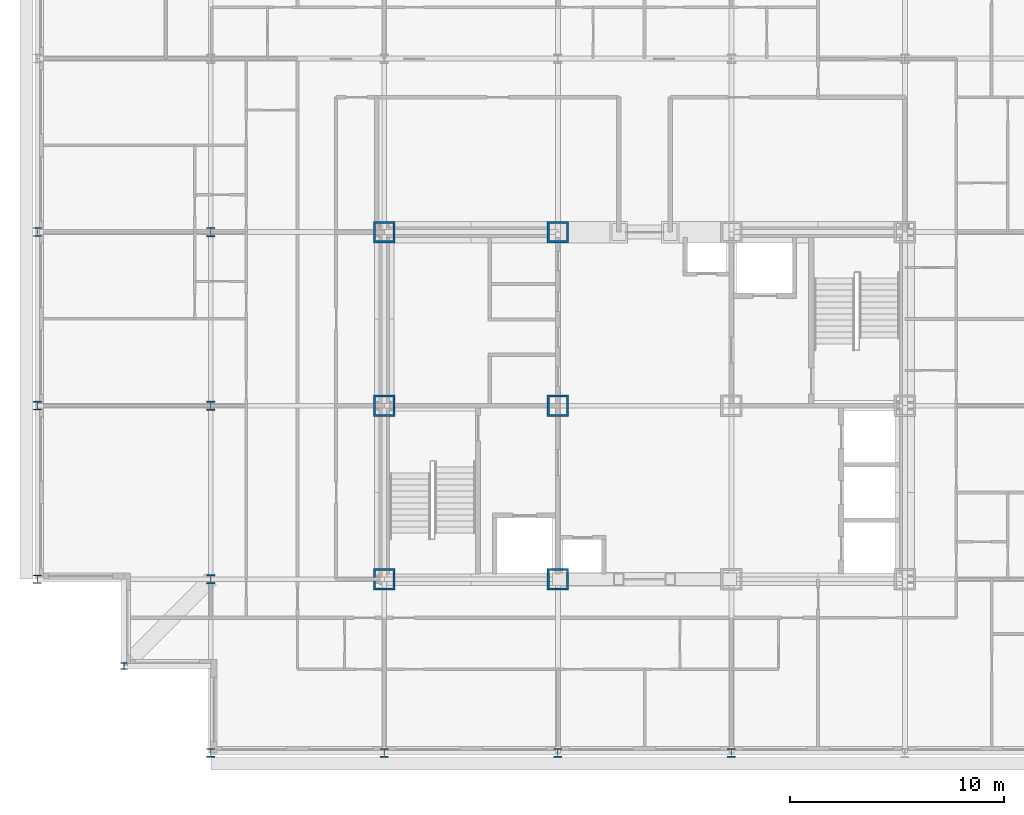
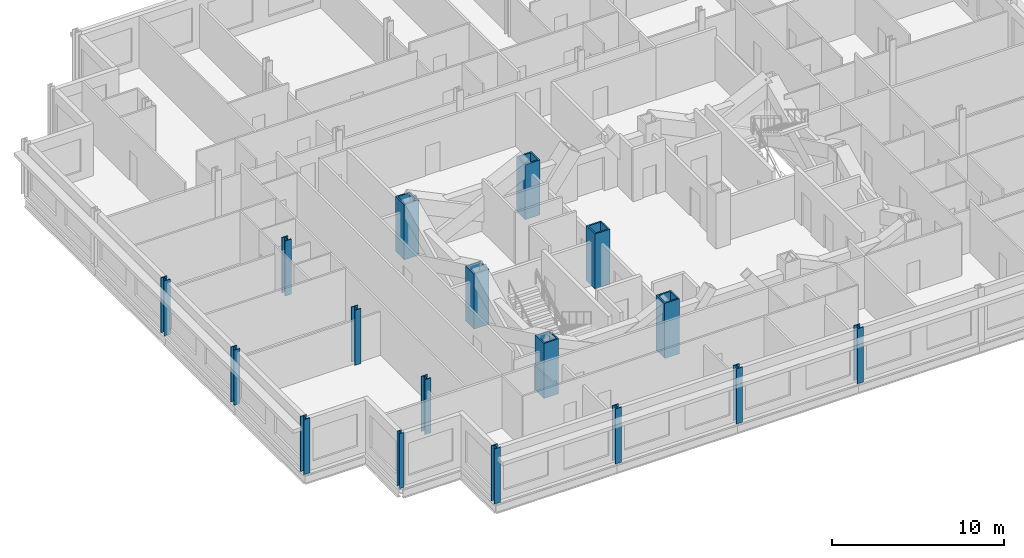
# One storey, part 1 of 15: 17 columns.
"""IFC4 building model written with IfcOpenShell, lengths in metres."""

from ifc_helpers import new_model, si_unit, direction, frame, origin, origin_2d, place, context, subcontext, project, spatial, hollow_rectangle, i_section, extrude, material, material_profile, profile_set, type_object, element, save


model = new_model("IFC4")

# Units and contexts
model_context = context("Model", 3, precision=1e-05, world=origin(), true_north=direction((0.0, 1.0)))
body_context = subcontext(model_context, "Body", "Model", "MODEL_VIEW")
ifc_project = project(units=[si_unit("LENGTHUNIT", "METRE"), si_unit("AREAUNIT", "SQUARE_METRE"), si_unit("VOLUMEUNIT", "CUBIC_METRE"), si_unit("PLANEANGLEUNIT", "RADIAN"), si_unit("MASSUNIT", "GRAM", prefix="KILO")], contexts=[model_context])

# Site, building, storey
site_placement = place(None, origin())
site = spatial("IfcSite", under=ifc_project, at=site_placement, CompositionType="ELEMENT")
building_placement = place(site_placement, origin())
building = spatial("IfcBuilding", under=site, at=building_placement, Name="Kopane Lantern Tower", CompositionType="ELEMENT")
storey_placement = place(building_placement, frame((0.0, 0.0, 281.39990234375)))
storey = spatial("IfcBuildingStorey", under=building, at=storey_placement, Name="L72", CompositionType="ELEMENT", Elevation=281.39990234375)

# Columns
ifc_material_1 = material(Name="Steel S355JR", Category="steel")
ifc_material_profile_1 = material_profile(ifc_material_1, hollow_rectangle(XDim=1.0, YDim=1.0, WallThickness=0.10009765625, at=origin_2d()), Name="BOX 1000x1000x100")
ifc_profile_set_1 = profile_set([ifc_material_profile_1], Name="Steel S355JR")
column_type_1 = type_object("IfcColumnType", Name="COLUMN BOX 1000x1000x100", PredefinedType="COLUMN", material=ifc_profile_set_1)
for number, where, z_axis, x_axis, name in (
    (1, (16.199951171875, 24.300048828125, 0.0), (0.0, 0.0, 1.0), (1.0, 0.0, 0.0), "Column 4/E L72"),
    (2, (16.199951171875, 32.39990234375, 0.0), (0.0, 0.0, 1.0), (1.0, 0.0, 0.0), "Column 4/F L72"),
    (3, (16.199951171875, 40.5, 0.0), (0.0, 0.0, 1.0), (1.0, 0.0, 0.0), "Column 4/G L72"),
    (4, (24.300048828125, 24.300048828125, 0.0), (0.0, 0.0, 1.0), (1.0, 0.0, 0.0), "Column 5/E L72"),
    (5, (24.300048828125, 32.39990234375, 0.0), (0.0, 0.0, 1.0), (1.0, 0.0, 0.0), "Column 5/F L72"),
    (6, (24.300048828125, 40.5, 0.0), (0.0, 0.0, 1.0), (1.0, 0.0, 0.0), "Column 5/G L72"),
):
    element("IfcColumn", number, at=place(storey_placement, frame(where, z_axis=z_axis, x_axis=x_axis)), inside=storey, type_object=column_type_1, Name=name, PredefinedType="COLUMN", context=body_context, shape_type="SweptSolid", body=[
        extrude(hollow_rectangle(XDim=1.0, YDim=1.0, WallThickness=0.10009765625, at=origin_2d()), origin(), (0.0, 0.0, 1.0), 3.900146484375),
    ])
ifc_material_2 = material(Name="Steel S355JR", Category="steel")
ifc_material_profile_2 = material_profile(ifc_material_2, i_section(OverallWidth=0.307373046875, OverallDepth=0.314453125, WebThickness=0.011962890625, FlangeThickness=0.018798828125, FilletRadius=0.01513671875, at=origin_2d()), Name="UC 305x305x118")
ifc_profile_set_2 = profile_set([ifc_material_profile_2], Name="Steel S355JR")
column_type_2 = type_object("IfcColumnType", Name="COLUMN UC 305x305x118", PredefinedType="COLUMN", material=ifc_profile_set_2)
column_placement = place(storey_placement, frame((4.050048828125, 20.25, 0.0), z_axis=(0.0, 0.0, 1.0), x_axis=(1.0, 0.0, 0.0)))
element("IfcColumn", 7, at=column_placement, inside=storey, type_object=column_type_2, Name="Column 4.05/20.25 L72", PredefinedType="COLUMN", context=body_context, shape_type="SweptSolid", body=[
    extrude(i_section(OverallWidth=0.307373046875, OverallDepth=0.314453125, WebThickness=0.011962890625, FlangeThickness=0.018798828125, FilletRadius=0.01513671875, at=origin_2d()), origin(), (0.0, 0.0, 1.0), 3.900146484375),
])
ifc_material_3 = material(Name="Steel S355JR", Category="steel")
ifc_material_profile_3 = material_profile(ifc_material_3, i_section(OverallWidth=0.406982421875, OverallDepth=0.4189453125, WebThickness=0.030517578125, FlangeThickness=0.04931640625, FilletRadius=0.01513671875, at=origin_2d()), Name="UC 356x406x393")
ifc_profile_set_3 = profile_set([ifc_material_profile_3], Name="Steel S355JR")
column_type_3 = type_object("IfcColumnType", Name="COLUMN UC 356x406x393", PredefinedType="COLUMN", material=ifc_profile_set_3)
for number, where, z_axis, x_axis, name in (
    (8, (0.0, 24.300048828125, 0.0), (0.0, 0.0, 1.0), (1.0, 0.0, 0.0), "Column 2/E L72"),
    (9, (0.0, 32.39990234375, 0.0), (0.0, 0.0, 1.0), (1.0, 0.0, 0.0), "Column 2/F L72"),
    (10, (0.0, 40.5, 0.0), (0.0, 0.0, 1.0), (1.0, 0.0, 0.0), "Column 2/G L72"),
    (11, (8.10009765625, 16.199951171875, 0.0), (0.0, 0.0, 1.0), (1.0, 0.0, 0.0), "Column 3/D L72"),
    (12, (16.199951171875, 16.199951171875, 0.0), (0.0, 0.0, 1.0), (1.0, 0.0, 0.0), "Column 4/D L72"),
    (13, (24.300048828125, 16.199951171875, 0.0), (0.0, 0.0, 1.0), (1.0, 0.0, 0.0), "Column 5/D L72"),
    (14, (32.39990234375, 16.199951171875, 0.0), (0.0, 0.0, 1.0), (1.0, 0.0, 0.0), "Column 6/D L72"),
):
    element("IfcColumn", number, at=place(storey_placement, frame(where, z_axis=z_axis, x_axis=x_axis)), inside=storey, type_object=column_type_3, Name=name, PredefinedType="COLUMN", context=body_context, shape_type="SweptSolid", body=[
        extrude(i_section(OverallWidth=0.406982421875, OverallDepth=0.4189453125, WebThickness=0.030517578125, FlangeThickness=0.04931640625, FilletRadius=0.01513671875, at=origin_2d()), origin(), (0.0, 0.0, 1.0), 3.900146484375),
    ])
ifc_material_4 = material(Name="Steel S355JR", Category="steel")
ifc_material_profile_4 = material_profile(ifc_material_4, i_section(OverallWidth=0.412109375, OverallDepth=0.4365234375, WebThickness=0.035888671875, FlangeThickness=0.05810546875, FilletRadius=0.01513671875, at=origin_2d()), Name="UC 356x406x467")
ifc_profile_set_4 = profile_set([ifc_material_profile_4], Name="Steel S355JR")
column_type_4 = type_object("IfcColumnType", Name="COLUMN UC 356x406x467", PredefinedType="COLUMN", material=ifc_profile_set_4)
for number, where, z_axis, x_axis, name in (
    (15, (8.10009765625, 24.300048828125, 0.0), (0.0, 0.0, 1.0), (1.0, 0.0, 0.0), "Column 3/E L72"),
    (16, (8.10009765625, 32.39990234375, 0.0), (0.0, 0.0, 1.0), (1.0, 0.0, 0.0), "Column 3/F L72"),
    (17, (8.10009765625, 40.5, 0.0), (0.0, 0.0, 1.0), (1.0, 0.0, 0.0), "Column 3/G L72"),
):
    element("IfcColumn", number, at=place(storey_placement, frame(where, z_axis=z_axis, x_axis=x_axis)), inside=storey, type_object=column_type_4, Name=name, PredefinedType="COLUMN", context=body_context, shape_type="SweptSolid", body=[
        extrude(i_section(OverallWidth=0.412109375, OverallDepth=0.4365234375, WebThickness=0.035888671875, FlangeThickness=0.05810546875, FilletRadius=0.01513671875, at=origin_2d()), origin(), (0.0, 0.0, 1.0), 3.900146484375),
    ])

save(model, "model.ifc")
